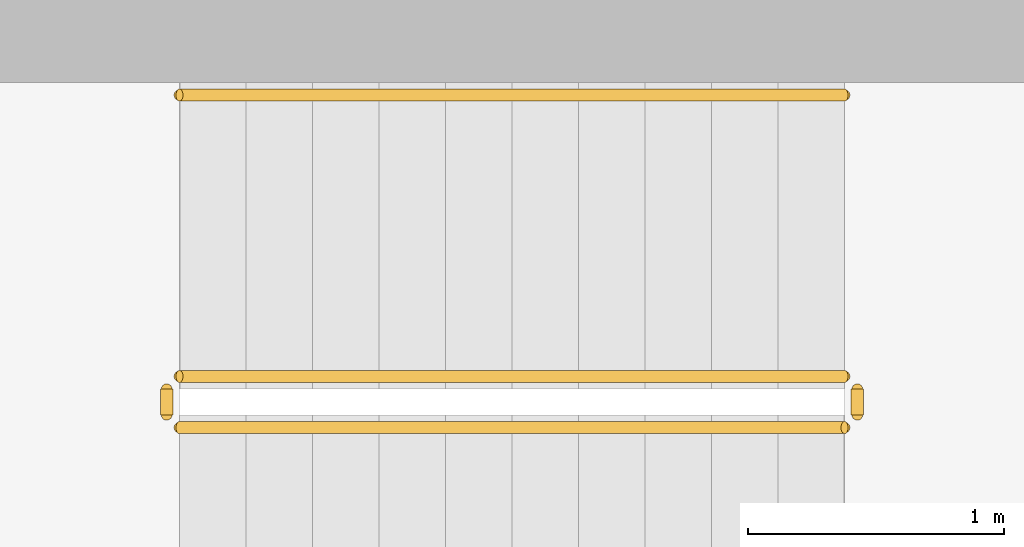
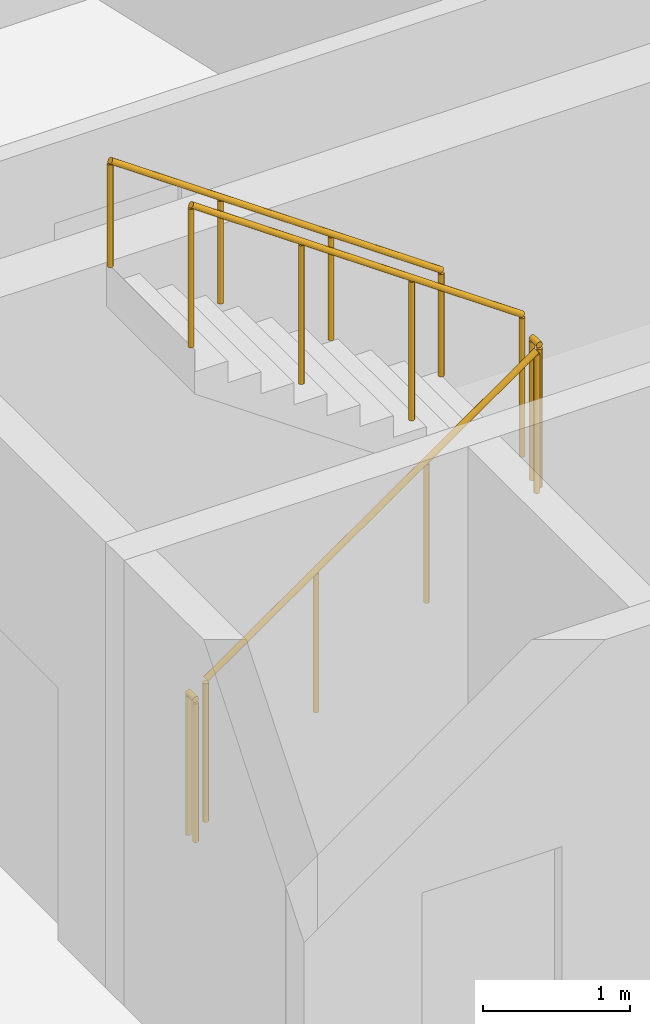
# One storey, part 17 of 20: 5 railings.
"""IFC4 building model written with IfcOpenShell, lengths in metres."""

from ifc_helpers import new_model, si_unit, direction, frame, origin, origin_2d, place, context, subcontext, project, spatial, circle, extrude, material, type_object, element, save


model = new_model("IFC4")

# Units and contexts
model_context = context("Model", 3, precision=1e-05, world=origin(), true_north=direction((0.0, 1.0)))
body_context = subcontext(model_context, "Body", "Model", "MODEL_VIEW")
ifc_project = project(units=[si_unit("LENGTHUNIT", "METRE"), si_unit("AREAUNIT", "SQUARE_METRE"), si_unit("VOLUMEUNIT", "CUBIC_METRE"), si_unit("PLANEANGLEUNIT", "RADIAN"), si_unit("MASSUNIT", "GRAM", prefix="KILO")], contexts=[model_context])

# Site, building, storey
site_placement = place(None, origin())
site = spatial("IfcSite", under=ifc_project, at=site_placement, CompositionType="ELEMENT")
building_placement = place(site_placement, origin())
building = spatial("IfcBuilding", under=site, at=building_placement, Name="Sahrelin Media Tower", CompositionType="ELEMENT")
storey_placement = place(building_placement, frame((0.0, 0.0, 245.60009765625)))
storey = spatial("IfcBuildingStorey", under=building, at=storey_placement, Name="L53", CompositionType="ELEMENT", Elevation=245.60009765625)

# Railings
ifc_material = material(Name="Steel S355", Category="steel")
railing_type_1 = type_object("IfcRailingType", Name="Stair guard 1200", PredefinedType="GUARDRAIL", material=ifc_material)
railing_1_placement = place(storey_placement, frame((-7.675048828125, 5.25, 0.181640625)))
element("IfcRailing", 1, at=railing_1_placement, inside=storey, type_object=railing_type_1, Name="L53 ST1 stair guard 1", PredefinedType="GUARDRAIL", context=body_context, shape_type="SweptSolid", body=[
    extrude(circle(Radius=0.02392578125, at=origin_2d()), frame((0.0, 0.0, 1.17578125), z_axis=(0.819484887739, 0.0, 0.573100792852), x_axis=(0.0, 1.0, 0.0)), (0.0, 0.0, 1.0), 3.1728515625),
    extrude(circle(Radius=0.02099609375, at=origin_2d()), origin(), (0.0, 0.0, 1.0), 1.15185546875),
    extrude(circle(Radius=0.02099609375, at=origin_2d()), frame((0.86669921875, 0.0, 0.606201171875)), (0.0, 0.0, 1.0), 1.15185546875),
    extrude(circle(Radius=0.02099609375, at=origin_2d()), frame((1.7333984375, 0.0, 1.212158203125)), (0.0, 0.0, 1.0), 1.15185546875),
    extrude(circle(Radius=0.02099609375, at=origin_2d()), frame((2.60009765625, 0.0, 1.818359375)), (0.0, 0.0, 1.0), 1.15185546875),
])
railing_2_placement = place(storey_placement, frame((-5.02490234375, 5.300048828125, 2.0)))
element("IfcRailing", 2, at=railing_2_placement, inside=storey, type_object=railing_type_1, Name="L53 ST1 stair guard 2", PredefinedType="GUARDRAIL", context=body_context, shape_type="SweptSolid", body=[
    extrude(circle(Radius=0.02392578125, at=origin_2d()), frame((0.0, 0.0, 1.17578125), z_axis=(0.0, 1.0, 0.0), x_axis=(-1.0, 0.0, 0.0)), (0.0, 0.0, 1.0), 0.099853515625),
    extrude(circle(Radius=0.02099609375, at=origin_2d()), origin(), (0.0, 0.0, 1.0), 1.15185546875),
    extrude(circle(Radius=0.02099609375, at=origin_2d()), frame((0.0, 0.099853515625, 0.0)), (0.0, 0.0, 1.0), 1.15185546875),
])
railing_3_placement = place(storey_placement, frame((-5.074951171875, 5.449951171875, 2.181640625)))
element("IfcRailing", 3, at=railing_3_placement, inside=storey, type_object=railing_type_1, Name="L53 ST1 stair guard 3", PredefinedType="GUARDRAIL", context=body_context, shape_type="SweptSolid", body=[
    extrude(circle(Radius=0.02392578125, at=origin_2d()), frame((0.0, 0.0, 1.17578125), z_axis=(-0.819484887739, 0.0, 0.573100792852), x_axis=(0.0, -1.0, 0.0)), (0.0, 0.0, 1.0), 3.1728515625),
    extrude(circle(Radius=0.02099609375, at=origin_2d()), origin(), (0.0, 0.0, 1.0), 1.15185546875),
    extrude(circle(Radius=0.02099609375, at=origin_2d()), frame((-0.86669921875, 0.0, 0.606201171875)), (0.0, 0.0, 1.0), 1.15185546875),
    extrude(circle(Radius=0.02099609375, at=origin_2d()), frame((-1.7333984375, 0.0, 1.212158203125)), (0.0, 0.0, 1.0), 1.15185546875),
    extrude(circle(Radius=0.02099609375, at=origin_2d()), frame((-2.60009765625, 0.0, 1.818359375)), (0.0, 0.0, 1.0), 1.15185546875),
])
railing_4_placement = place(storey_placement, frame((-7.72509765625, 5.300048828125, 0.0)))
element("IfcRailing", 4, at=railing_4_placement, inside=storey, type_object=railing_type_1, Name="L53 ST1 stair guard 4", PredefinedType="GUARDRAIL", context=body_context, shape_type="SweptSolid", body=[
    extrude(circle(Radius=0.02392578125, at=origin_2d()), frame((0.0, 0.0, 1.17578125), z_axis=(0.0, 1.0, 0.0), x_axis=(-1.0, 0.0, 0.0)), (0.0, 0.0, 1.0), 0.099853515625),
    extrude(circle(Radius=0.02099609375, at=origin_2d()), origin(), (0.0, 0.0, 1.0), 1.15185546875),
    extrude(circle(Radius=0.02099609375, at=origin_2d()), frame((0.0, 0.099853515625, 0.0)), (0.0, 0.0, 1.0), 1.15185546875),
])
railing_type_2 = type_object("IfcRailingType", Name="Stair handrail 900", PredefinedType="HANDRAIL", material=ifc_material)
railing_5_placement = place(storey_placement, frame((-5.074951171875, 6.550048828125, 2.181640625)))
element("IfcRailing", 5, at=railing_5_placement, inside=storey, type_object=railing_type_2, Name="L53 ST1 stair handrail 2", PredefinedType="HANDRAIL", context=body_context, shape_type="SweptSolid", body=[
    extrude(circle(Radius=0.02392578125, at=origin_2d()), frame((0.0, 0.0, 0.8759765625), z_axis=(-0.819484887739, 0.0, 0.573100792852), x_axis=(0.0, -1.0, 0.0)), (0.0, 0.0, 1.0), 3.1728515625),
    extrude(circle(Radius=0.02099609375, at=origin_2d()), origin(), (0.0, 0.0, 1.0), 0.851806640625),
    extrude(circle(Radius=0.02099609375, at=origin_2d()), frame((-0.86669921875, 0.0, 0.606201171875)), (0.0, 0.0, 1.0), 0.851806640625),
    extrude(circle(Radius=0.02099609375, at=origin_2d()), frame((-1.7333984375, 0.0, 1.212158203125)), (0.0, 0.0, 1.0), 0.851806640625),
    extrude(circle(Radius=0.02099609375, at=origin_2d()), frame((-2.60009765625, 0.0, 1.818359375)), (0.0, 0.0, 1.0), 0.851806640625),
])

save(model, "model.ifc")
